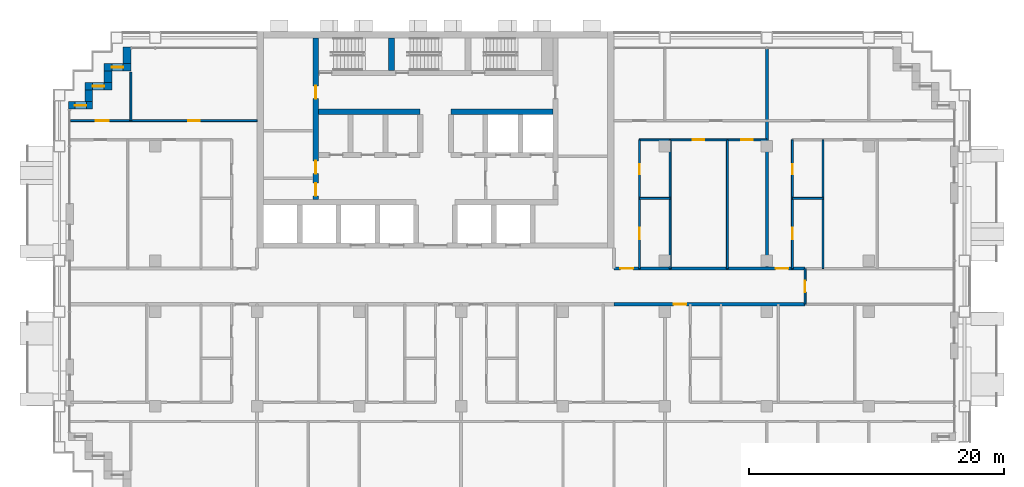
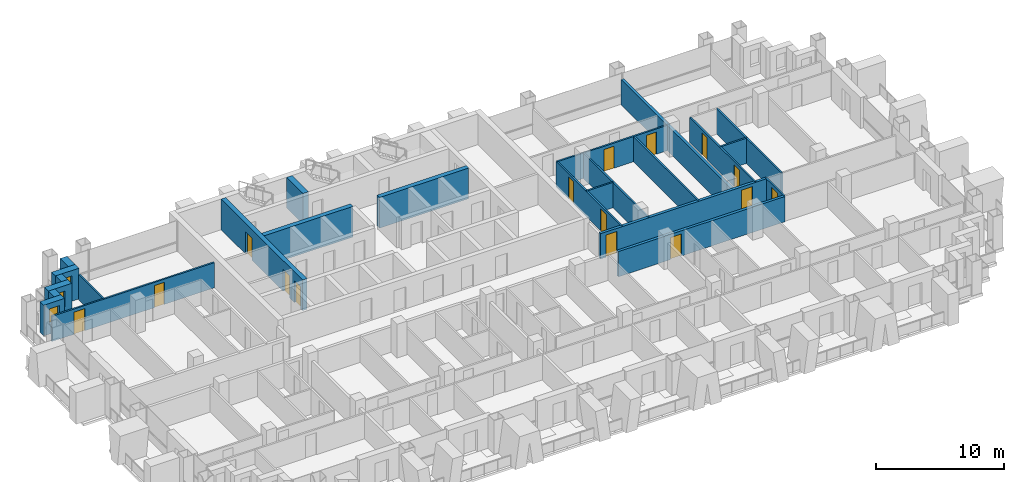
# One storey, part 12 of 17: 24 walls, 15 doors, 3 windows, 18 openings.
"""IFC4 building model written with IfcOpenShell, lengths in metres."""

from ifc_helpers import new_model, si_unit, direction, frame, frame_2d, origin, place, context, subcontext, project, spatial, rectangle, extrude, material, layer, layer_set, type_object, element, fill, save


model = new_model("IFC4")

# Units and contexts
model_context = context("Model", 3, precision=1e-05, world=origin(), true_north=direction((0.0, 1.0)))
body_context = subcontext(model_context, "Body", "Model", "MODEL_VIEW")
ifc_project = project(units=[si_unit("LENGTHUNIT", "METRE"), si_unit("AREAUNIT", "SQUARE_METRE"), si_unit("VOLUMEUNIT", "CUBIC_METRE"), si_unit("PLANEANGLEUNIT", "RADIAN"), si_unit("MASSUNIT", "GRAM", prefix="KILO")], contexts=[model_context])

# Site, building, storey
site_placement = place(None, origin())
site = spatial("IfcSite", under=ifc_project, at=site_placement, CompositionType="ELEMENT")
building_placement = place(site_placement, origin())
building = spatial("IfcBuilding", under=site, at=building_placement, Name="Vidyagriha Tower", CompositionType="ELEMENT")
storey_placement = place(building_placement, frame((0.0, 0.0, 87.10009765625)))
storey = spatial("IfcBuildingStorey", under=building, at=storey_placement, Name="L22", CompositionType="ELEMENT", Elevation=87.10009765625)

# Wall
ifc_material_1 = material(Name="Precast concrete C40/50 with brick facing", Category="concrete")
ifc_layer_1 = layer(ifc_material_1, 0.60009765625)
ifc_layer_set_1 = layer_set([ifc_layer_1], Name="Precast concrete C40/50 with brick facing")
wall_type_1 = type_object("IfcWallType", Name="Brick-faced precast wall 600", PredefinedType="STANDARD", material=ifc_layer_set_1)
wall_1_placement = place(storey_placement, frame((-24.199951171875, 18.780029296875, 0.0), z_axis=(0.0, 0.0, 1.0), x_axis=(0.0, -1.0, 0.0)))
element("IfcWall", 1, at=wall_1_placement, inside=storey, type_object=wall_type_1, Name="Stepped corner wall L22 R10", PredefinedType="STANDARD", context=body_context, shape_type="SweptSolid", body=[
    extrude(rectangle(XDim=1.280029296875, YDim=0.60009765625, at=frame_2d((0.64013671875, 0.0))), origin(), (0.0, 0.0, 1.0), 2.919921875),
])

# Wall, opening, window
wall_2_placement = place(storey_placement, frame((-23.89990234375, 17.199951171875, 0.0), z_axis=(0.0, 0.0, 1.0), x_axis=(-1.0, 0.0, 0.0)))
wall_2 = element("IfcWall", 2, at=wall_2_placement, inside=storey, type_object=wall_type_1, Name="Stepped corner wall L22 R11", PredefinedType="STANDARD", context=body_context, shape_type="SweptSolid", body=[
    extrude(rectangle(XDim=2.10009765625, YDim=0.60009765625, at=frame_2d((1.050048828125, 0.0))), origin(), (0.0, 0.0, 1.0), 2.919921875),
])
opening_1_placement = place(wall_2_placement, frame((0.60009765625, 0.0, 0.89990234375)))
opening_1 = element("IfcOpeningElement", 3, at=opening_1_placement, cuts=wall_2, Name="Opening WN1", PredefinedType="OPENING", context=body_context, shape_type="SweptSolid", body=[
    extrude(rectangle(XDim=0.89990234375, YDim=1.5, at=frame_2d((0.449951171875, 0.75))), frame((0.0, 0.31005859375, 0.0), z_axis=(0.0, -1.0, 0.0), x_axis=(1.0, 0.0, 0.0)), (0.0, 0.0, 1.0), 0.6201171875),
])
ifc_material_2 = material(Name="Aluminium and glass window", Category="aluminium")
window_type = type_object("IfcWindowType", Name="Reveal window 900x1500", PartitioningType="NOTDEFINED", PredefinedType="WINDOW", material=ifc_material_2)
window_1_placement = place(opening_1_placement, origin())
window_1 = element("IfcWindow", 4, at=window_1_placement, inside=storey, type_object=window_type, Name="Reveal window L22 R11", OverallHeight=1.5, OverallWidth=0.89990234375, PartitioningType="SINGLE_PANEL", PredefinedType="WINDOW", context=body_context, shape_type="SweptSolid", body=[
    extrude(rectangle(XDim=0.89990234375, YDim=1.5, at=frame_2d((0.449951171875, 0.75))), frame((0.0, 0.030029296875, 0.0), z_axis=(0.0, -1.0, 0.0), x_axis=(1.0, 0.0, 0.0)), (0.0, 0.0, 1.0), 0.06005859375),
])
fill(opening_1, window_1)

# Wall
wall_3_placement = place(storey_placement, frame((-25.699951171875, 16.89990234375, 0.0), z_axis=(0.0, 0.0, 1.0), x_axis=(0.0, -1.0, 0.0)))
element("IfcWall", 5, at=wall_3_placement, inside=storey, type_object=wall_type_1, Name="Stepped corner wall L22 R12", PredefinedType="STANDARD", context=body_context, shape_type="SweptSolid", body=[
    extrude(rectangle(XDim=0.89990234375, YDim=0.60009765625, at=frame_2d((0.449951171875, 0.0))), origin(), (0.0, 0.0, 1.0), 2.919921875),
])

# Wall, opening, window
wall_4_placement = place(storey_placement, frame((-25.39990234375, 15.699951171875, 0.0), z_axis=(0.0, 0.0, 1.0), x_axis=(-1.0, 0.0, 0.0)))
wall_4 = element("IfcWall", 6, at=wall_4_placement, inside=storey, type_object=wall_type_1, Name="Stepped corner wall L22 R13", PredefinedType="STANDARD", context=body_context, shape_type="SweptSolid", body=[
    extrude(rectangle(XDim=2.10009765625, YDim=0.60009765625, at=frame_2d((1.050048828125, 0.0))), origin(), (0.0, 0.0, 1.0), 2.919921875),
])
opening_2_placement = place(wall_4_placement, frame((0.60009765625, 0.0, 0.89990234375)))
opening_2 = element("IfcOpeningElement", 7, at=opening_2_placement, cuts=wall_4, Name="Opening WN1", PredefinedType="OPENING", context=body_context, shape_type="SweptSolid", body=[
    extrude(rectangle(XDim=0.89990234375, YDim=1.5, at=frame_2d((0.449951171875, 0.75))), frame((0.0, 0.31005859375, 0.0), z_axis=(0.0, -1.0, 0.0), x_axis=(1.0, 0.0, 0.0)), (0.0, 0.0, 1.0), 0.6201171875),
])
window_2_placement = place(opening_2_placement, origin())
window_2 = element("IfcWindow", 8, at=window_2_placement, inside=storey, type_object=window_type, Name="Reveal window L22 R13", OverallHeight=1.5, OverallWidth=0.89990234375, PartitioningType="SINGLE_PANEL", PredefinedType="WINDOW", context=body_context, shape_type="SweptSolid", body=[
    extrude(rectangle(XDim=0.89990234375, YDim=1.5, at=frame_2d((0.449951171875, 0.75))), frame((0.0, 0.030029296875, 0.0), z_axis=(0.0, -1.0, 0.0), x_axis=(1.0, 0.0, 0.0)), (0.0, 0.0, 1.0), 0.06005859375),
])
fill(opening_2, window_2)

# Wall
wall_5_placement = place(storey_placement, frame((-27.199951171875, 15.39990234375, 0.0), z_axis=(0.0, 0.0, 1.0), x_axis=(0.0, -1.0, 0.0)))
element("IfcWall", 9, at=wall_5_placement, inside=storey, type_object=wall_type_1, Name="Stepped corner wall L22 R14", PredefinedType="STANDARD", context=body_context, shape_type="SweptSolid", body=[
    extrude(rectangle(XDim=0.89990234375, YDim=0.60009765625, at=frame_2d((0.449951171875, 0.0))), origin(), (0.0, 0.0, 1.0), 2.919921875),
])

# Wall, opening, window
wall_6_placement = place(storey_placement, frame((-26.89990234375, 14.199951171875, 0.0), z_axis=(0.0, 0.0, 1.0), x_axis=(-1.0, 0.0, 0.0)))
wall_6 = element("IfcWall", 10, at=wall_6_placement, inside=storey, type_object=wall_type_1, Name="Stepped corner wall L22 R15", PredefinedType="STANDARD", context=body_context, shape_type="SweptSolid", body=[
    extrude(rectangle(XDim=1.880126953125, YDim=0.60009765625, at=frame_2d((0.93994140625, 0.0))), origin(), (0.0, 0.0, 1.0), 2.919921875),
])
opening_3_placement = place(wall_6_placement, frame((0.489990234375, 0.0, 0.89990234375)))
opening_3 = element("IfcOpeningElement", 11, at=opening_3_placement, cuts=wall_6, Name="Opening WN1", PredefinedType="OPENING", context=body_context, shape_type="SweptSolid", body=[
    extrude(rectangle(XDim=0.89990234375, YDim=1.5, at=frame_2d((0.449951171875, 0.75))), frame((0.0, 0.31005859375, 0.0), z_axis=(0.0, -1.0, 0.0), x_axis=(1.0, 0.0, 0.0)), (0.0, 0.0, 1.0), 0.6201171875),
])
window_3_placement = place(opening_3_placement, origin())
window_3 = element("IfcWindow", 12, at=window_3_placement, inside=storey, type_object=window_type, Name="Reveal window L22 R15", OverallHeight=1.5, OverallWidth=0.89990234375, PartitioningType="SINGLE_PANEL", PredefinedType="WINDOW", context=body_context, shape_type="SweptSolid", body=[
    extrude(rectangle(XDim=0.89990234375, YDim=1.5, at=frame_2d((0.449951171875, 0.75))), frame((0.0, 0.030029296875, 0.0), z_axis=(0.0, -1.0, 0.0), x_axis=(1.0, 0.0, 0.0)), (0.0, 0.0, 1.0), 0.06005859375),
])
fill(opening_3, window_3)

# Wall, openings, doors
ifc_material_3 = material(Name="Concrete C60/75", Category="concrete")
ifc_layer_2 = layer(ifc_material_3, 0.39990234375)
ifc_layer_set_2 = layer_set([ifc_layer_2], Name="Concrete C60/75")
wall_type_2 = type_object("IfcWallType", Name="Core shear wall 400 mm", PredefinedType="SHEAR", material=ifc_layer_set_2)
wall_7_placement = place(storey_placement, frame((-9.39990234375, 6.800048828125, 0.0), z_axis=(0.0, 0.0, 1.0), x_axis=(0.0, 1.0, 0.0)))
wall_7 = element("IfcWall", 13, at=wall_7_placement, inside=storey, type_object=wall_type_2, Name="Core west spine wall", PredefinedType="SHEAR", context=body_context, shape_type="SweptSolid", body=[
    extrude(rectangle(XDim=12.699951171875, YDim=0.39990234375, at=frame_2d((6.35009765625, 0.0))), origin(), (0.0, 0.0, 1.0), 2.919921875),
])
opening_4_placement = place(wall_7_placement, frame((0.300048828125, 0.0, 0.0)))
opening_4 = element("IfcOpeningElement", 14, at=opening_4_placement, cuts=wall_7, Name="Opening D22-10", PredefinedType="OPENING", context=body_context, shape_type="SweptSolid", body=[
    extrude(rectangle(XDim=1.0, YDim=2.10009765625, at=frame_2d((0.5, 1.050048828125))), frame((0.0, 0.2099609375, 0.0), z_axis=(0.0, -1.0, 0.0), x_axis=(1.0, 0.0, 0.0)), (0.0, 0.0, 1.0), 0.419921875),
])
opening_5_placement = place(wall_7_placement, frame((2.050048828125, 0.0, 0.0)))
opening_5 = element("IfcOpeningElement", 15, at=opening_5_placement, cuts=wall_7, Name="Opening D22-11", PredefinedType="OPENING", context=body_context, shape_type="SweptSolid", body=[
    extrude(rectangle(XDim=1.0, YDim=2.10009765625, at=frame_2d((0.5, 1.050048828125))), frame((0.0, 0.2099609375, 0.0), z_axis=(0.0, -1.0, 0.0), x_axis=(1.0, 0.0, 0.0)), (0.0, 0.0, 1.0), 0.419921875),
])
opening_6_placement = place(wall_7_placement, frame((7.925048828125, 0.0, 0.0)))
opening_6 = element("IfcOpeningElement", 16, at=opening_6_placement, cuts=wall_7, Name="Opening D22-12", PredefinedType="OPENING", context=body_context, shape_type="SweptSolid", body=[
    extrude(rectangle(XDim=1.0, YDim=2.10009765625, at=frame_2d((0.5, 1.050048828125))), frame((0.0, 0.2099609375, 0.0), z_axis=(0.0, -1.0, 0.0), x_axis=(1.0, 0.0, 0.0)), (0.0, 0.0, 1.0), 0.419921875),
])
ifc_material_4 = material(Name="Hollow metal door leaf")
door_type_1 = type_object("IfcDoorType", Name="Core room door 1000 x 2100 mm EI 60", OperationType="NOTDEFINED", PredefinedType="DOOR", material=ifc_material_4)
door_1_placement = place(opening_4_placement, frame((1.0, 0.0, 0.0), z_axis=(0.0, 0.0, 1.0), x_axis=(-1.0, 0.0, 0.0)))
door_1 = element("IfcDoor", 17, at=door_1_placement, inside=storey, type_object=door_type_1, Name="Door Mechanical Riser Room 22.W1", OperationType="SINGLE_SWING_RIGHT", OverallHeight=2.10009765625, OverallWidth=1.0, PredefinedType="DOOR", context=body_context, shape_type="SweptSolid", body=[
    extrude(rectangle(XDim=1.0, YDim=2.10009765625, at=frame_2d((0.5, 1.050048828125))), frame((0.0, 0.02490234375, 0.0), z_axis=(0.0, -1.0, 0.0), x_axis=(1.0, 0.0, 0.0)), (0.0, 0.0, 1.0), 0.050048828125),
])
fill(opening_4, door_1)
door_2_placement = place(opening_5_placement, frame((1.0, 0.0, 0.0), z_axis=(0.0, 0.0, 1.0), x_axis=(-1.0, 0.0, 0.0)))
door_2 = element("IfcDoor", 18, at=door_2_placement, inside=storey, type_object=door_type_1, Name="Door Electrical Room 22.W2", OperationType="SINGLE_SWING_LEFT", OverallHeight=2.10009765625, OverallWidth=1.0, PredefinedType="DOOR", context=body_context, shape_type="SweptSolid", body=[
    extrude(rectangle(XDim=1.0, YDim=2.10009765625, at=frame_2d((0.5, 1.050048828125))), frame((0.0, 0.02490234375, 0.0), z_axis=(0.0, -1.0, 0.0), x_axis=(1.0, 0.0, 0.0)), (0.0, 0.0, 1.0), 0.050048828125),
])
fill(opening_5, door_2)
door_3_placement = place(opening_6_placement, frame((1.0, 0.0, 0.0), z_axis=(0.0, 0.0, 1.0), x_axis=(-1.0, 0.0, 0.0)))
door_3 = element("IfcDoor", 19, at=door_3_placement, inside=storey, type_object=door_type_1, Name="Door Refuse Room 22.W3", OperationType="SINGLE_SWING_LEFT", OverallHeight=2.10009765625, OverallWidth=1.0, PredefinedType="DOOR", context=body_context, shape_type="SweptSolid", body=[
    extrude(rectangle(XDim=1.0, YDim=2.10009765625, at=frame_2d((0.5, 1.050048828125))), frame((0.0, 0.02490234375, 0.0), z_axis=(0.0, -1.0, 0.0), x_axis=(1.0, 0.0, 0.0)), (0.0, 0.0, 1.0), 0.050048828125),
])
fill(opening_6, door_3)

# Walls
for number, where, name in (
    (20, (-9.199951171875, 13.699951171875, 0.0), "Core row N rear wall"),
    (21, (1.199951171875, 13.699951171875, 0.0), "Core row N rear wall"),
):
    element("IfcWall", number, at=place(storey_placement, frame(where)), inside=storey, type_object=wall_type_2, Name=name, PredefinedType="SHEAR", context=body_context, shape_type="SweptSolid", body=[
        extrude(rectangle(XDim=8.0, YDim=0.39990234375, at=frame_2d((4.0, 0.0))), origin(), (0.0, 0.0, 1.0), 2.919921875),
    ])
ifc_material_5 = material(Name="Concrete C60/75", Category="concrete")
ifc_layer_3 = layer(ifc_material_5, 0.5)
ifc_layer_set_3 = layer_set([ifc_layer_3], Name="Concrete C60/75")
wall_type_3 = type_object("IfcWallType", Name="Core shear wall 500 mm", PredefinedType="SHEAR", material=ifc_layer_set_3)
wall_8_placement = place(storey_placement, frame((-3.449951171875, 16.949951171875, 0.0), z_axis=(0.0, 0.0, 1.0), x_axis=(0.0, 1.0, 0.0)))
element("IfcWall", 22, at=wall_8_placement, inside=storey, type_object=wall_type_3, Name="Stair partition wall 1", PredefinedType="SHEAR", context=body_context, shape_type="SweptSolid", body=[
    extrude(rectangle(XDim=2.550048828125, YDim=0.5, at=frame_2d((1.27490234375, 0.0))), origin(), (0.0, 0.0, 1.0), 2.919921875),
])

# Wall, opening, door
ifc_material_6 = material(Name="Fired clay brick masonry", Category="masonry")
ifc_layer_4 = layer(ifc_material_6, 0.25)
ifc_layer_set_4 = layer_set([ifc_layer_4], Name="Fired clay brick masonry")
wall_type_4 = type_object("IfcWallType", Name="Fired clay brick corridor wall 250", PredefinedType="PARTITIONING", material=ifc_layer_set_4)
wall_9_placement = place(storey_placement, frame((29.0, -1.39990234375, 0.0), z_axis=(0.0, 0.0, 1.0), x_axis=(-1.0, 0.0, 0.0)))
wall_9 = element("IfcWall", 23, at=wall_9_placement, inside=storey, type_object=wall_type_4, Name="Wall all-L22-w075", PredefinedType="PARTITIONING", context=body_context, shape_type="SweptSolid", body=[
    extrude(rectangle(XDim=15.0, YDim=0.25, at=frame_2d((7.5, 0.0))), origin(), (0.0, 0.0, 1.0), 2.39990234375),
])
opening_7_placement = place(wall_9_placement, frame((9.31103515625, 0.0, 0.0)))
opening_7 = element("IfcOpeningElement", 24, at=opening_7_placement, cuts=wall_9, Name="Opening D22-49", PredefinedType="OPENING", context=body_context, shape_type="SweptSolid", body=[
    extrude(rectangle(XDim=1.0, YDim=2.10009765625, at=frame_2d((0.5, 1.050048828125))), frame((0.0, 0.135009765625, 0.0), z_axis=(0.0, -1.0, 0.0), x_axis=(1.0, 0.0, 0.0)), (0.0, 0.0, 1.0), 0.27001953125),
])
ifc_material_7 = material(Name="Fire-rated timber door leaf EI 60", Category="wood")
door_type_2 = type_object("IfcDoorType", Name="Flat entrance fire door 1000x2100", OperationType="NOTDEFINED", PredefinedType="DOOR", material=ifc_material_7)
door_4_placement = place(opening_7_placement, origin())
door_4 = element("IfcDoor", 25, at=door_4_placement, inside=storey, type_object=door_type_2, Name="Door D22-49", OperationType="SINGLE_SWING_RIGHT", OverallHeight=2.10009765625, OverallWidth=1.0, PredefinedType="DOOR", context=body_context, shape_type="SweptSolid", body=[
    extrude(rectangle(XDim=1.0, YDim=2.10009765625, at=frame_2d((0.5, 1.050048828125))), frame((0.0, 0.02490234375, 0.0), z_axis=(0.0, -1.0, 0.0), x_axis=(1.0, 0.0, 0.0)), (0.0, 0.0, 1.0), 0.050048828125),
])
fill(opening_7, door_4)

# Wall, openings, doors
wall_10_placement = place(storey_placement, frame((14.0, 1.39990234375, 0.0)))
wall_10 = element("IfcWall", 26, at=wall_10_placement, inside=storey, type_object=wall_type_4, Name="Wall all-L22-w121", PredefinedType="PARTITIONING", context=body_context, shape_type="SweptSolid", body=[
    extrude(rectangle(XDim=15.0, YDim=0.25, at=frame_2d((7.5, 0.0))), origin(), (0.0, 0.0, 1.0), 2.39990234375),
])
opening_8_placement = place(wall_10_placement, frame((0.5, 0.0, 0.0)))
opening_8 = element("IfcOpeningElement", 27, at=opening_8_placement, cuts=wall_10, Name="Opening D22-63", PredefinedType="OPENING", context=body_context, shape_type="SweptSolid", body=[
    extrude(rectangle(XDim=1.0, YDim=2.10009765625, at=frame_2d((0.5, 1.050048828125))), frame((0.0, 0.135009765625, 0.0), z_axis=(0.0, -1.0, 0.0), x_axis=(1.0, 0.0, 0.0)), (0.0, 0.0, 1.0), 0.27001953125),
])
opening_9_placement = place(wall_10_placement, frame((12.68896484375, 0.0, 0.0)))
opening_9 = element("IfcOpeningElement", 28, at=opening_9_placement, cuts=wall_10, Name="Opening D22-70", PredefinedType="OPENING", context=body_context, shape_type="SweptSolid", body=[
    extrude(rectangle(XDim=1.0, YDim=2.10009765625, at=frame_2d((0.5, 1.050048828125))), frame((0.0, 0.135009765625, 0.0), z_axis=(0.0, -1.0, 0.0), x_axis=(1.0, 0.0, 0.0)), (0.0, 0.0, 1.0), 0.27001953125),
])
door_5_placement = place(opening_8_placement, origin())
door_5 = element("IfcDoor", 29, at=door_5_placement, inside=storey, type_object=door_type_2, Name="Door D22-63", OperationType="SINGLE_SWING_LEFT", OverallHeight=2.10009765625, OverallWidth=1.0, PredefinedType="DOOR", context=body_context, shape_type="SweptSolid", body=[
    extrude(rectangle(XDim=1.0, YDim=2.10009765625, at=frame_2d((0.5, 1.050048828125))), frame((0.0, 0.02490234375, 0.0), z_axis=(0.0, -1.0, 0.0), x_axis=(1.0, 0.0, 0.0)), (0.0, 0.0, 1.0), 0.050048828125),
])
fill(opening_8, door_5)
door_6_placement = place(opening_9_placement, origin())
door_6 = element("IfcDoor", 30, at=door_6_placement, inside=storey, type_object=door_type_2, Name="Door D22-70", OperationType="SINGLE_SWING_LEFT", OverallHeight=2.10009765625, OverallWidth=1.0, PredefinedType="DOOR", context=body_context, shape_type="SweptSolid", body=[
    extrude(rectangle(XDim=1.0, YDim=2.10009765625, at=frame_2d((0.5, 1.050048828125))), frame((0.0, 0.02490234375, 0.0), z_axis=(0.0, -1.0, 0.0), x_axis=(1.0, 0.0, 0.0)), (0.0, 0.0, 1.0), 0.050048828125),
])
fill(opening_9, door_6)

# Wall
ifc_material_8 = material(Name="Fired clay brick masonry", Category="masonry")
ifc_layer_5 = layer(ifc_material_8, 0.25)
ifc_layer_set_5 = layer_set([ifc_layer_5], Name="Fired clay brick masonry")
wall_type_5 = type_object("IfcWallType", Name="Fired clay brick demising wall 250", PredefinedType="PARTITIONING", material=ifc_layer_set_5)
wall_11_placement = place(storey_placement, frame((26.0, 18.62109375, 0.0), z_axis=(0.0, 0.0, 1.0), x_axis=(0.0, -1.0, 0.0)))
element("IfcWall", 31, at=wall_11_placement, inside=storey, type_object=wall_type_5, Name="Wall all-L22-w120", PredefinedType="PARTITIONING", context=body_context, shape_type="SweptSolid", body=[
    extrude(rectangle(XDim=17.22119140625, YDim=0.25, at=frame_2d((8.610595703125, 0.0))), origin(), (0.0, 0.0, 1.0), 2.39990234375),
])

# Wall, openings, doors
ifc_material_9 = material(Name="Gypsum board partition")
ifc_layer_6 = layer(ifc_material_9, 0.14990234375)
ifc_layer_set_6 = layer_set([ifc_layer_6], Name="Gypsum board partition")
wall_type_6 = type_object("IfcWallType", Name="Gypsum board partition 150", PredefinedType="PARTITIONING", material=ifc_layer_set_6)
wall_12_placement = place(storey_placement, frame((-28.6201171875, 13.0, 0.0)))
wall_12 = element("IfcWall", 32, at=wall_12_placement, inside=storey, type_object=wall_type_6, Name="Wall all-L22-w086", PredefinedType="PARTITIONING", context=body_context, shape_type="SweptSolid", body=[
    extrude(rectangle(XDim=14.6201171875, YDim=0.14990234375, at=frame_2d((7.31005859375, 0.0))), origin(), (0.0, 0.0, 1.0), 2.39990234375),
])
opening_10_placement = place(wall_12_placement, frame((1.969970703125, 0.0, 0.0)))
opening_10 = element("IfcOpeningElement", 33, at=opening_10_placement, cuts=wall_12, Name="Opening D22-54", PredefinedType="OPENING", context=body_context, shape_type="SweptSolid", body=[
    extrude(rectangle(XDim=1.0, YDim=2.10009765625, at=frame_2d((0.5, 1.050048828125))), frame((0.0, 0.0849609375, 0.0), z_axis=(0.0, -1.0, 0.0), x_axis=(1.0, 0.0, 0.0)), (0.0, 0.0, 1.0), 0.169921875),
])
opening_11_placement = place(wall_12_placement, frame((9.219970703125, 0.0, 0.0)))
opening_11 = element("IfcOpeningElement", 34, at=opening_11_placement, cuts=wall_12, Name="Opening D22-55", PredefinedType="OPENING", context=body_context, shape_type="SweptSolid", body=[
    extrude(rectangle(XDim=0.89990234375, YDim=2.10009765625, at=frame_2d((0.449951171875, 1.050048828125))), frame((0.0, 0.0849609375, 0.0), z_axis=(0.0, -1.0, 0.0), x_axis=(1.0, 0.0, 0.0)), (0.0, 0.0, 1.0), 0.169921875),
])
ifc_material_10 = material(Name="Timber door leaf", Category="wood")
door_type_3 = type_object("IfcDoorType", Name="Room door 1000x2100", OperationType="NOTDEFINED", PredefinedType="DOOR", material=ifc_material_10)
door_7_placement = place(opening_10_placement, origin())
door_7 = element("IfcDoor", 35, at=door_7_placement, inside=storey, type_object=door_type_3, Name="Door D22-54", OperationType="SINGLE_SWING_RIGHT", OverallHeight=2.10009765625, OverallWidth=1.0, PredefinedType="DOOR", context=body_context, shape_type="SweptSolid", body=[
    extrude(rectangle(XDim=1.0, YDim=2.10009765625, at=frame_2d((0.5, 1.050048828125))), frame((0.0, 0.02490234375, 0.0), z_axis=(0.0, -1.0, 0.0), x_axis=(1.0, 0.0, 0.0)), (0.0, 0.0, 1.0), 0.050048828125),
])
fill(opening_10, door_7)
ifc_material_11 = material(Name="Timber door leaf", Category="wood")
door_type_4 = type_object("IfcDoorType", Name="Room door 900x2100", OperationType="NOTDEFINED", PredefinedType="DOOR", material=ifc_material_11)
door_8_placement = place(opening_11_placement, origin())
door_8 = element("IfcDoor", 36, at=door_8_placement, inside=storey, type_object=door_type_4, Name="Door D22-55", OperationType="SINGLE_SWING_RIGHT", OverallHeight=2.10009765625, OverallWidth=0.89990234375, PredefinedType="DOOR", context=body_context, shape_type="SweptSolid", body=[
    extrude(rectangle(XDim=0.89990234375, YDim=2.10009765625, at=frame_2d((0.449951171875, 1.050048828125))), frame((0.0, 0.02490234375, 0.0), z_axis=(0.0, -1.0, 0.0), x_axis=(1.0, 0.0, 0.0)), (0.0, 0.0, 1.0), 0.050048828125),
])
fill(opening_11, door_8)

# Walls
wall_13_placement = place(storey_placement, frame((-23.89990234375, 16.820068359375, 0.0), z_axis=(0.0, 0.0, 1.0), x_axis=(0.0, -1.0, 0.0)))
element("IfcWall", 37, at=wall_13_placement, inside=storey, type_object=wall_type_6, Name="Wall all-L22-w089", PredefinedType="PARTITIONING", context=body_context, shape_type="SweptSolid", body=[
    extrude(rectangle(XDim=3.820068359375, YDim=0.14990234375, at=frame_2d((1.91015625, 0.0))), origin(), (0.0, 0.0, 1.0), 2.39990234375),
])
wall_14_placement = place(storey_placement, frame((16.0, 6.89990234375, 0.0)))
element("IfcWall", 38, at=wall_14_placement, inside=storey, type_object=wall_type_6, Name="Wall all-L22-w095", PredefinedType="PARTITIONING", context=body_context, shape_type="SweptSolid", body=[
    extrude(rectangle(XDim=2.39990234375, YDim=0.14990234375, at=frame_2d((1.199951171875, 0.0))), origin(), (0.0, 0.0, 1.0), 2.39990234375),
])
for number, where, z_axis, x_axis, name in (
    (39, (18.39990234375, 11.5, 0.0), (0.0, 0.0, 1.0), (0.0, -1.0, 0.0), "Wall all-L22-w096"),
    (40, (22.89990234375, 11.5, 0.0), (0.0, 0.0, 1.0), (0.0, -1.0, 0.0), "Wall all-L22-w097"),
):
    element("IfcWall", number, at=place(storey_placement, frame(where, z_axis=z_axis, x_axis=x_axis)), inside=storey, type_object=wall_type_6, Name=name, PredefinedType="PARTITIONING", context=body_context, shape_type="SweptSolid", body=[
        extrude(rectangle(XDim=10.10009765625, YDim=0.14990234375, at=frame_2d((5.050048828125, 0.0))), origin(), (0.0, 0.0, 1.0), 2.39990234375),
    ])

# Wall, openings, doors
wall_15_placement = place(storey_placement, frame((26.0, 11.5, 0.0), z_axis=(0.0, 0.0, 1.0), x_axis=(-1.0, 0.0, 0.0)))
wall_15 = element("IfcWall", 41, at=wall_15_placement, inside=storey, type_object=wall_type_6, Name="Wall all-L22-w098", PredefinedType="PARTITIONING", context=body_context, shape_type="SweptSolid", body=[
    extrude(rectangle(XDim=10.0, YDim=0.14990234375, at=frame_2d((5.0, 0.0))), origin(), (0.0, 0.0, 1.0), 2.39990234375),
])
opening_12_placement = place(wall_15_placement, frame((4.89990234375, 0.0, 0.0)))
opening_12 = element("IfcOpeningElement", 42, at=opening_12_placement, cuts=wall_15, Name="Opening D22-59", PredefinedType="OPENING", context=body_context, shape_type="SweptSolid", body=[
    extrude(rectangle(XDim=0.89990234375, YDim=2.10009765625, at=frame_2d((0.449951171875, 1.050048828125))), frame((0.0, 0.0849609375, 0.0), z_axis=(0.0, -1.0, 0.0), x_axis=(1.0, 0.0, 0.0)), (0.0, 0.0, 1.0), 0.169921875),
])
opening_13_placement = place(wall_15_placement, frame((1.10009765625, 0.0, 0.0)))
opening_13 = element("IfcOpeningElement", 43, at=opening_13_placement, cuts=wall_15, Name="Opening D22-60", PredefinedType="OPENING", context=body_context, shape_type="SweptSolid", body=[
    extrude(rectangle(XDim=0.89990234375, YDim=2.10009765625, at=frame_2d((0.449951171875, 1.050048828125))), frame((0.0, 0.0849609375, 0.0), z_axis=(0.0, -1.0, 0.0), x_axis=(1.0, 0.0, 0.0)), (0.0, 0.0, 1.0), 0.169921875),
])
door_9_placement = place(opening_12_placement, origin())
door_9 = element("IfcDoor", 44, at=door_9_placement, inside=storey, type_object=door_type_4, Name="Door D22-59", OperationType="SINGLE_SWING_RIGHT", OverallHeight=2.10009765625, OverallWidth=0.89990234375, PredefinedType="DOOR", context=body_context, shape_type="SweptSolid", body=[
    extrude(rectangle(XDim=0.89990234375, YDim=2.10009765625, at=frame_2d((0.449951171875, 1.050048828125))), frame((0.0, 0.02490234375, 0.0), z_axis=(0.0, -1.0, 0.0), x_axis=(1.0, 0.0, 0.0)), (0.0, 0.0, 1.0), 0.050048828125),
])
fill(opening_12, door_9)
door_10_placement = place(opening_13_placement, origin())
door_10 = element("IfcDoor", 45, at=door_10_placement, inside=storey, type_object=door_type_4, Name="Door D22-60", OperationType="SINGLE_SWING_RIGHT", OverallHeight=2.10009765625, OverallWidth=0.89990234375, PredefinedType="DOOR", context=body_context, shape_type="SweptSolid", body=[
    extrude(rectangle(XDim=0.89990234375, YDim=2.10009765625, at=frame_2d((0.449951171875, 1.050048828125))), frame((0.0, 0.02490234375, 0.0), z_axis=(0.0, -1.0, 0.0), x_axis=(1.0, 0.0, 0.0)), (0.0, 0.0, 1.0), 0.050048828125),
])
fill(opening_13, door_10)

# Walls
wall_16_placement = place(storey_placement, frame((28.0, 6.89990234375, 0.0)))
element("IfcWall", 46, at=wall_16_placement, inside=storey, type_object=wall_type_6, Name="Wall all-L22-w109", PredefinedType="PARTITIONING", context=body_context, shape_type="SweptSolid", body=[
    extrude(rectangle(XDim=2.39990234375, YDim=0.14990234375, at=frame_2d((1.199951171875, 0.0))), origin(), (0.0, 0.0, 1.0), 2.39990234375),
])
wall_17_placement = place(storey_placement, frame((30.39990234375, 11.5, 0.0), z_axis=(0.0, 0.0, 1.0), x_axis=(0.0, -1.0, 0.0)))
element("IfcWall", 47, at=wall_17_placement, inside=storey, type_object=wall_type_6, Name="Wall all-L22-w110", PredefinedType="PARTITIONING", context=body_context, shape_type="SweptSolid", body=[
    extrude(rectangle(XDim=10.10009765625, YDim=0.14990234375, at=frame_2d((5.050048828125, 0.0))), origin(), (0.0, 0.0, 1.0), 2.39990234375),
])

# Wall, opening, door
wall_18_placement = place(storey_placement, frame((29.0, -1.39990234375, 0.0), z_axis=(0.0, 0.0, 1.0), x_axis=(0.0, 1.0, 0.0)))
wall_18 = element("IfcWall", 48, at=wall_18_placement, inside=storey, type_object=wall_type_6, Name="Wall all-L22-w123", PredefinedType="PARTITIONING", context=body_context, shape_type="SweptSolid", body=[
    extrude(rectangle(XDim=2.7998046875, YDim=0.14990234375, at=frame_2d((1.39990234375, 0.0))), origin(), (0.0, 0.0, 1.0), 2.39990234375),
])
opening_14_placement = place(wall_18_placement, frame((0.949951171875, 0.0, 0.0)))
opening_14 = element("IfcOpeningElement", 49, at=opening_14_placement, cuts=wall_18, Name="Opening D22-71", PredefinedType="OPENING", context=body_context, shape_type="SweptSolid", body=[
    extrude(rectangle(XDim=0.89990234375, YDim=2.10009765625, at=frame_2d((0.449951171875, 1.050048828125))), frame((0.0, 0.0849609375, 0.0), z_axis=(0.0, -1.0, 0.0), x_axis=(1.0, 0.0, 0.0)), (0.0, 0.0, 1.0), 0.169921875),
])
door_11_placement = place(opening_14_placement, origin())
door_11 = element("IfcDoor", 50, at=door_11_placement, inside=storey, type_object=door_type_4, Name="Door D22-71", OperationType="SINGLE_SWING_RIGHT", OverallHeight=2.10009765625, OverallWidth=0.89990234375, PredefinedType="DOOR", context=body_context, shape_type="SweptSolid", body=[
    extrude(rectangle(XDim=0.89990234375, YDim=2.10009765625, at=frame_2d((0.449951171875, 1.050048828125))), frame((0.0, 0.02490234375, 0.0), z_axis=(0.0, -1.0, 0.0), x_axis=(1.0, 0.0, 0.0)), (0.0, 0.0, 1.0), 0.050048828125),
])
fill(opening_14, door_11)

# Wall, openings, doors
ifc_material_12 = material(Name="Moisture resistant gypsum board partition")
ifc_layer_7 = layer(ifc_material_12, 0.14990234375)
ifc_layer_set_7 = layer_set([ifc_layer_7], Name="Moisture resistant gypsum board partition")
wall_type_7 = type_object("IfcWallType", Name="Gypsum board wet-area partition 150", PredefinedType="PARTITIONING", material=ifc_layer_set_7)
wall_19_placement = place(storey_placement, frame((16.0, 11.5, 0.0), z_axis=(0.0, 0.0, 1.0), x_axis=(0.0, -1.0, 0.0)))
wall_19 = element("IfcWall", 51, at=wall_19_placement, inside=storey, type_object=wall_type_7, Name="Wall all-L22-w092", PredefinedType="PARTITIONING", context=body_context, shape_type="SweptSolid", body=[
    extrude(rectangle(XDim=10.10009765625, YDim=0.14990234375, at=frame_2d((5.050048828125, 0.0))), origin(), (0.0, 0.0, 1.0), 2.39990234375),
])
opening_15_placement = place(wall_19_placement, frame((6.89990234375, 0.0, 0.0)))
opening_15 = element("IfcOpeningElement", 52, at=opening_15_placement, cuts=wall_19, Name="Opening D22-57", PredefinedType="OPENING", context=body_context, shape_type="SweptSolid", body=[
    extrude(rectangle(XDim=0.89990234375, YDim=2.10009765625, at=frame_2d((0.449951171875, 1.050048828125))), frame((0.0, 0.0849609375, 0.0), z_axis=(0.0, -1.0, 0.0), x_axis=(1.0, 0.0, 0.0)), (0.0, 0.0, 1.0), 0.169921875),
])
opening_16_placement = place(wall_19_placement, frame((1.89990234375, 0.0, 0.0)))
opening_16 = element("IfcOpeningElement", 53, at=opening_16_placement, cuts=wall_19, Name="Opening D22-58", PredefinedType="OPENING", context=body_context, shape_type="SweptSolid", body=[
    extrude(rectangle(XDim=0.800048828125, YDim=2.10009765625, at=frame_2d((0.39990234375, 1.050048828125))), frame((0.0, 0.0849609375, 0.0), z_axis=(0.0, -1.0, 0.0), x_axis=(1.0, 0.0, 0.0)), (0.0, 0.0, 1.0), 0.169921875),
])
ifc_material_13 = material(Name="Timber door leaf", Category="wood")
door_type_5 = type_object("IfcDoorType", Name="Bathroom door 800x2100", OperationType="NOTDEFINED", PredefinedType="DOOR", material=ifc_material_13)
door_12_placement = place(opening_16_placement, origin())
door_12 = element("IfcDoor", 54, at=door_12_placement, inside=storey, type_object=door_type_5, Name="Door D22-58", OperationType="SINGLE_SWING_RIGHT", OverallHeight=2.10009765625, OverallWidth=0.800048828125, PredefinedType="DOOR", context=body_context, shape_type="SweptSolid", body=[
    extrude(rectangle(XDim=0.800048828125, YDim=2.10009765625, at=frame_2d((0.39990234375, 1.050048828125))), frame((0.0, 0.02490234375, 0.0), z_axis=(0.0, -1.0, 0.0), x_axis=(1.0, 0.0, 0.0)), (0.0, 0.0, 1.0), 0.050048828125),
])
fill(opening_16, door_12)
ifc_material_14 = material(Name="Timber door leaf", Category="wood")
door_type_6 = type_object("IfcDoorType", Name="Kitchen door 900x2100", OperationType="NOTDEFINED", PredefinedType="DOOR", material=ifc_material_14)
door_13_placement = place(opening_15_placement, origin())
door_13 = element("IfcDoor", 55, at=door_13_placement, inside=storey, type_object=door_type_6, Name="Door D22-57", OperationType="SINGLE_SWING_RIGHT", OverallHeight=2.10009765625, OverallWidth=0.89990234375, PredefinedType="DOOR", context=body_context, shape_type="SweptSolid", body=[
    extrude(rectangle(XDim=0.89990234375, YDim=2.10009765625, at=frame_2d((0.449951171875, 1.050048828125))), frame((0.0, 0.02490234375, 0.0), z_axis=(0.0, -1.0, 0.0), x_axis=(1.0, 0.0, 0.0)), (0.0, 0.0, 1.0), 0.050048828125),
])
fill(opening_15, door_13)

wall_20_placement = place(storey_placement, frame((28.0, 11.5, 0.0), z_axis=(0.0, 0.0, 1.0), x_axis=(0.0, -1.0, 0.0)))
wall_20 = element("IfcWall", 56, at=wall_20_placement, inside=storey, type_object=wall_type_7, Name="Wall all-L22-w106", PredefinedType="PARTITIONING", context=body_context, shape_type="SweptSolid", body=[
    extrude(rectangle(XDim=10.10009765625, YDim=0.14990234375, at=frame_2d((5.050048828125, 0.0))), origin(), (0.0, 0.0, 1.0), 2.39990234375),
])
opening_17_placement = place(wall_20_placement, frame((6.89990234375, 0.0, 0.0)))
opening_17 = element("IfcOpeningElement", 57, at=opening_17_placement, cuts=wall_20, Name="Opening D22-64", PredefinedType="OPENING", context=body_context, shape_type="SweptSolid", body=[
    extrude(rectangle(XDim=0.89990234375, YDim=2.10009765625, at=frame_2d((0.449951171875, 1.050048828125))), frame((0.0, 0.0849609375, 0.0), z_axis=(0.0, -1.0, 0.0), x_axis=(1.0, 0.0, 0.0)), (0.0, 0.0, 1.0), 0.169921875),
])
opening_18_placement = place(wall_20_placement, frame((1.89990234375, 0.0, 0.0)))
opening_18 = element("IfcOpeningElement", 58, at=opening_18_placement, cuts=wall_20, Name="Opening D22-65", PredefinedType="OPENING", context=body_context, shape_type="SweptSolid", body=[
    extrude(rectangle(XDim=0.800048828125, YDim=2.10009765625, at=frame_2d((0.39990234375, 1.050048828125))), frame((0.0, 0.0849609375, 0.0), z_axis=(0.0, -1.0, 0.0), x_axis=(1.0, 0.0, 0.0)), (0.0, 0.0, 1.0), 0.169921875),
])
door_14_placement = place(opening_18_placement, origin())
door_14 = element("IfcDoor", 59, at=door_14_placement, inside=storey, type_object=door_type_5, Name="Door D22-65", OperationType="SINGLE_SWING_RIGHT", OverallHeight=2.10009765625, OverallWidth=0.800048828125, PredefinedType="DOOR", context=body_context, shape_type="SweptSolid", body=[
    extrude(rectangle(XDim=0.800048828125, YDim=2.10009765625, at=frame_2d((0.39990234375, 1.050048828125))), frame((0.0, 0.02490234375, 0.0), z_axis=(0.0, -1.0, 0.0), x_axis=(1.0, 0.0, 0.0)), (0.0, 0.0, 1.0), 0.050048828125),
])
fill(opening_18, door_14)
door_15_placement = place(opening_17_placement, origin())
door_15 = element("IfcDoor", 60, at=door_15_placement, inside=storey, type_object=door_type_6, Name="Door D22-64", OperationType="SINGLE_SWING_RIGHT", OverallHeight=2.10009765625, OverallWidth=0.89990234375, PredefinedType="DOOR", context=body_context, shape_type="SweptSolid", body=[
    extrude(rectangle(XDim=0.89990234375, YDim=2.10009765625, at=frame_2d((0.449951171875, 1.050048828125))), frame((0.0, 0.02490234375, 0.0), z_axis=(0.0, -1.0, 0.0), x_axis=(1.0, 0.0, 0.0)), (0.0, 0.0, 1.0), 0.050048828125),
])
fill(opening_17, door_15)

save(model, "model.ifc")
